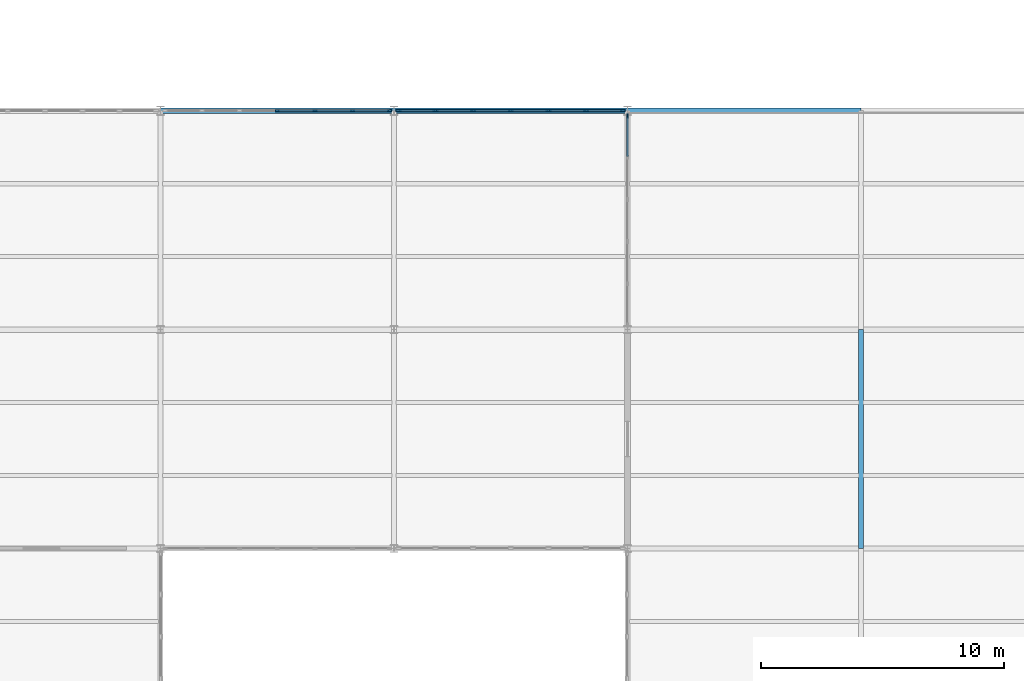
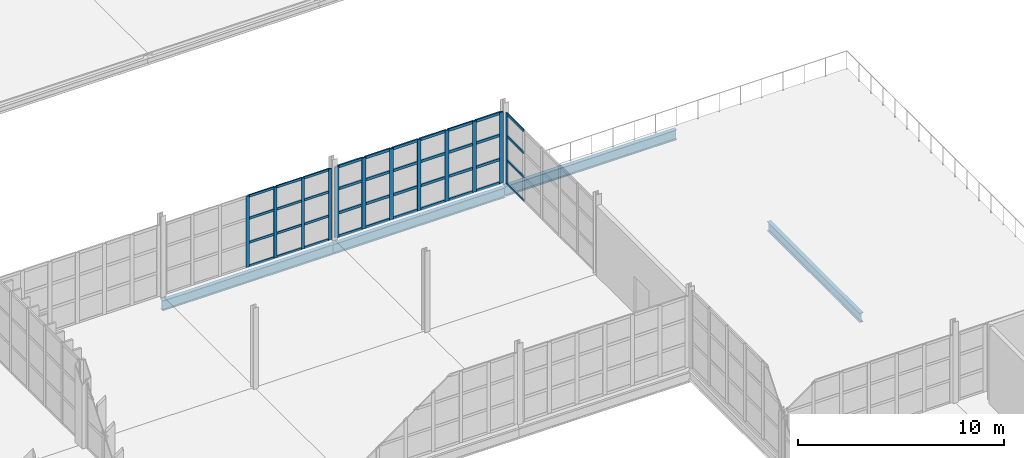
# One storey, part 70 of 120: 52 members, 4 beams, 3 elements without a shape of their own.
"""IFC4 building model written with IfcOpenShell, lengths in metres."""

from ifc_helpers import new_model, si_unit, direction, frame, origin, origin_2d, place, context, subcontext, project, spatial, rectangle, i_section, extrude, material, layer, layer_set, material_profile, profile_set, type_object, element, aggregate, save


model = new_model("IFC4")

# Units and contexts
model_context = context("Model", 3, precision=1e-05, world=origin(), true_north=direction((0.0, 1.0)))
body_context = subcontext(model_context, "Body", "Model", "MODEL_VIEW")
ifc_project = project(units=[si_unit("LENGTHUNIT", "METRE"), si_unit("AREAUNIT", "SQUARE_METRE"), si_unit("VOLUMEUNIT", "CUBIC_METRE"), si_unit("PLANEANGLEUNIT", "RADIAN"), si_unit("MASSUNIT", "GRAM", prefix="KILO")], contexts=[model_context])

# Site, building, storey
site_placement = place(None, origin())
site = spatial("IfcSite", under=ifc_project, at=site_placement, CompositionType="ELEMENT")
building_placement = place(site_placement, origin())
building = spatial("IfcBuilding", under=site, at=building_placement, Name="Zarnetskaya Central Station", CompositionType="ELEMENT")
storey_placement = place(building_placement, frame((0.0, 0.0, 5.39990234375)))
storey = spatial("IfcBuildingStorey", under=building, at=storey_placement, Name="L01", CompositionType="ELEMENT", Elevation=5.39990234375)

# Curtain wall, members
ifc_material_1 = material(Name="Low-E insulated glass", Category="glass")
ifc_layer = layer(ifc_material_1, 0.159912109375, Name="Low-E insulated glass", Category="glass")
ifc_layer_set = layer_set([ifc_layer], Name="Low-E insulated glass")
curtain_wall_type = type_object("IfcCurtainWallType", Name="CW-SYS-06", PredefinedType="USERDEFINED", material=ifc_layer_set)
curtain_wall_1_placement = place(storey_placement, origin())
curtain_wall_1 = element("IfcCurtainWall", 1, at=curtain_wall_1_placement, inside=storey, type_object=curtain_wall_type, Name="Curtain wall CW-L01-113", ObjectType="CURTAIN WALL", PredefinedType="USERDEFINED")
ifc_material_2 = material(Name="Anodised aluminium", Category="aluminium")
ifc_material_profile_1 = material_profile(ifc_material_2, rectangle(XDim=0.070068359375, YDim=0.179931640625, at=origin_2d()), Name="ALU MULL 70x180")
ifc_profile_set_1 = profile_set([ifc_material_profile_1], Name="Anodised aluminium")
member_type_1 = type_object("IfcMemberType", Name="CW-MULL-180", PredefinedType="MULLION", material=ifc_profile_set_1)
member_1_placement = place(storey_placement, frame((139.199951171875, 49.199951171875, 0.0), z_axis=(0.0, 0.0, 1.0), x_axis=(0.0, 1.0, 0.0)))
member_1 = element("IfcMember", 2, at=member_1_placement, type_object=member_type_1, Name="CW-02 mullion 4", PredefinedType="MULLION", context=body_context, shape_type="SweptSolid", body=[
    extrude(rectangle(XDim=0.070068359375, YDim=0.179931640625, at=origin_2d()), origin(), (0.0, 0.0, 1.0), 4.2001953125),
])
member_2_placement = place(storey_placement, frame((140.75, 49.199951171875, 0.0), z_axis=(0.0, 0.0, 1.0), x_axis=(0.0, 1.0, 0.0)))
member_2 = element("IfcMember", 3, at=member_2_placement, type_object=member_type_1, Name="CW-02 mullion 5", PredefinedType="MULLION", context=body_context, shape_type="SweptSolid", body=[
    extrude(rectangle(XDim=0.070068359375, YDim=0.179931640625, at=origin_2d()), origin(), (0.0, 0.0, 1.0), 4.2001953125),
])
member_3_placement = place(storey_placement, frame((142.300048828125, 49.199951171875, 0.0), z_axis=(0.0, 0.0, 1.0), x_axis=(0.0, 1.0, 0.0)))
member_3 = element("IfcMember", 4, at=member_3_placement, type_object=member_type_1, Name="CW-02 mullion 6", PredefinedType="MULLION", context=body_context, shape_type="SweptSolid", body=[
    extrude(rectangle(XDim=0.070068359375, YDim=0.179931640625, at=origin_2d()), origin(), (0.0, 0.0, 1.0), 4.2001953125),
])
member_4_placement = place(storey_placement, frame((143.81494140625, 49.199951171875, 0.0), z_axis=(0.0, 0.0, 1.0), x_axis=(0.0, 1.0, 0.0)))
member_4 = element("IfcMember", 5, at=member_4_placement, type_object=member_type_1, Name="CW-02 mullion 7", PredefinedType="MULLION", context=body_context, shape_type="SweptSolid", body=[
    extrude(rectangle(XDim=0.070068359375, YDim=0.179931640625, at=origin_2d()), origin(), (0.0, 0.0, 1.0), 4.2001953125),
])

# Curtain wall, member
curtain_wall_2_placement = place(storey_placement, origin())
curtain_wall_2 = element("IfcCurtainWall", 6, at=curtain_wall_2_placement, inside=storey, type_object=curtain_wall_type, Name="Curtain wall CW-L01-115", ObjectType="CURTAIN WALL", PredefinedType="USERDEFINED")
member_5_placement = place(storey_placement, frame((153.60009765625, 48.985107421875, 0.0), z_axis=(0.0, 0.0, 1.0), x_axis=(1.0, 0.0, 0.0)))
member_5 = element("IfcMember", 7, at=member_5_placement, type_object=member_type_1, Name="CW-02 mullion 1", PredefinedType="MULLION", context=body_context, shape_type="SweptSolid", body=[
    extrude(rectangle(XDim=0.070068359375, YDim=0.179931640625, at=origin_2d()), origin(), (0.0, 0.0, 1.0), 4.2001953125),
])

# Curtain wall, members
curtain_wall_3_placement = place(storey_placement, origin())
curtain_wall_3 = element("IfcCurtainWall", 8, at=curtain_wall_3_placement, inside=storey, type_object=curtain_wall_type, Name="Curtain wall CW-L01-114", ObjectType="CURTAIN WALL", PredefinedType="USERDEFINED")
ifc_material_profile_2 = material_profile(ifc_material_2, rectangle(XDim=0.080078125, YDim=0.219970703125, at=origin_2d()), Name="ALU MULL 80x220")
ifc_profile_set_2 = profile_set([ifc_material_profile_2], Name="Anodised aluminium")
member_type_2 = type_object("IfcMemberType", Name="CW-MULL-220", PredefinedType="MULLION", material=ifc_profile_set_2)
member_6_placement = place(storey_placement, frame((144.18994140625, 49.199951171875, 0.0), z_axis=(0.0, 0.0, 1.0), x_axis=(0.0, 1.0, 0.0)))
member_6 = element("IfcMember", 9, at=member_6_placement, type_object=member_type_2, Name="CW-02 mullion 1", PredefinedType="MULLION", context=body_context, shape_type="SweptSolid", body=[
    extrude(rectangle(XDim=0.080078125, YDim=0.219970703125, at=origin_2d()), origin(), (0.0, 0.0, 1.0), 4.2001953125),
])
member_7_placement = place(storey_placement, frame((145.699951171875, 49.199951171875, 0.0), z_axis=(0.0, 0.0, 1.0), x_axis=(0.0, 1.0, 0.0)))
member_7 = element("IfcMember", 10, at=member_7_placement, type_object=member_type_2, Name="CW-02 mullion 2", PredefinedType="MULLION", context=body_context, shape_type="SweptSolid", body=[
    extrude(rectangle(XDim=0.080078125, YDim=0.219970703125, at=origin_2d()), origin(), (0.0, 0.0, 1.0), 4.2001953125),
])
member_8_placement = place(storey_placement, frame((147.25, 49.199951171875, 0.0), z_axis=(0.0, 0.0, 1.0), x_axis=(0.0, 1.0, 0.0)))
member_8 = element("IfcMember", 11, at=member_8_placement, type_object=member_type_2, Name="CW-02 mullion 3", PredefinedType="MULLION", context=body_context, shape_type="SweptSolid", body=[
    extrude(rectangle(XDim=0.080078125, YDim=0.219970703125, at=origin_2d()), origin(), (0.0, 0.0, 1.0), 4.2001953125),
])
member_9_placement = place(storey_placement, frame((148.800048828125, 49.199951171875, 0.0), z_axis=(0.0, 0.0, 1.0), x_axis=(0.0, 1.0, 0.0)))
member_9 = element("IfcMember", 12, at=member_9_placement, type_object=member_type_2, Name="CW-02 mullion 4", PredefinedType="MULLION", context=body_context, shape_type="SweptSolid", body=[
    extrude(rectangle(XDim=0.080078125, YDim=0.219970703125, at=origin_2d()), origin(), (0.0, 0.0, 1.0), 4.2001953125),
])
member_10_placement = place(storey_placement, frame((150.35009765625, 49.199951171875, 0.0), z_axis=(0.0, 0.0, 1.0), x_axis=(0.0, 1.0, 0.0)))
member_10 = element("IfcMember", 13, at=member_10_placement, type_object=member_type_2, Name="CW-02 mullion 5", PredefinedType="MULLION", context=body_context, shape_type="SweptSolid", body=[
    extrude(rectangle(XDim=0.080078125, YDim=0.219970703125, at=origin_2d()), origin(), (0.0, 0.0, 1.0), 4.2001953125),
])
member_11_placement = place(storey_placement, frame((151.89990234375, 49.199951171875, 0.0), z_axis=(0.0, 0.0, 1.0), x_axis=(0.0, 1.0, 0.0)))
member_11 = element("IfcMember", 14, at=member_11_placement, type_object=member_type_2, Name="CW-02 mullion 6", PredefinedType="MULLION", context=body_context, shape_type="SweptSolid", body=[
    extrude(rectangle(XDim=0.080078125, YDim=0.219970703125, at=origin_2d()), origin(), (0.0, 0.0, 1.0), 4.2001953125),
])
member_12_placement = place(storey_placement, frame((153.409912109375, 49.199951171875, 0.0), z_axis=(0.0, 0.0, 1.0), x_axis=(0.0, 1.0, 0.0)))
member_12 = element("IfcMember", 15, at=member_12_placement, type_object=member_type_2, Name="CW-02 mullion 7", PredefinedType="MULLION", context=body_context, shape_type="SweptSolid", body=[
    extrude(rectangle(XDim=0.080078125, YDim=0.219970703125, at=origin_2d()), origin(), (0.0, 0.0, 1.0), 4.2001953125),
])

# Member
ifc_material_profile_3 = material_profile(ifc_material_2, rectangle(XDim=0.070068359375, YDim=0.139892578125, at=origin_2d()), Name="ALU TRAN 70x140")
ifc_profile_set_3 = profile_set([ifc_material_profile_3], Name="Anodised aluminium")
member_type_3 = type_object("IfcMemberType", Name="CW-TRAN-140", PredefinedType="USERDEFINED", material=ifc_profile_set_3)
member_13_placement = place(storey_placement, frame((139.235107421875, 49.199951171875, 0.03515625), z_axis=(1.0, 0.0, 0.0), x_axis=(0.0, 1.0, 0.0)))
member_13 = element("IfcMember", 16, at=member_13_placement, type_object=member_type_3, Name="CW-02 transom 4.1", ObjectType="TRANSOM", PredefinedType="USERDEFINED", context=body_context, shape_type="SweptSolid", body=[
    extrude(rectangle(XDim=0.070068359375, YDim=0.139892578125, at=origin_2d()), origin(), (0.0, 0.0, 1.0), 1.47998046875),
])

member_14_placement = place(storey_placement, frame((139.235107421875, 49.199951171875, 1.427978515625), z_axis=(1.0, 0.0, 0.0), x_axis=(0.0, 1.0, 0.0)))
member_14 = element("IfcMember", 17, at=member_14_placement, type_object=member_type_3, Name="CW-02 transom 4.2", ObjectType="TRANSOM", PredefinedType="USERDEFINED", context=body_context, shape_type="SweptSolid", body=[
    extrude(rectangle(XDim=0.070068359375, YDim=0.139892578125, at=origin_2d()), origin(), (0.0, 0.0, 1.0), 1.47998046875),
])

member_15_placement = place(storey_placement, frame((139.235107421875, 49.199951171875, 2.856201171875), z_axis=(1.0, 0.0, 0.0), x_axis=(0.0, 1.0, 0.0)))
member_15 = element("IfcMember", 18, at=member_15_placement, type_object=member_type_3, Name="CW-02 transom 4.3", ObjectType="TRANSOM", PredefinedType="USERDEFINED", context=body_context, shape_type="SweptSolid", body=[
    extrude(rectangle(XDim=0.070068359375, YDim=0.139892578125, at=origin_2d()), origin(), (0.0, 0.0, 1.0), 1.47998046875),
])

member_16_placement = place(storey_placement, frame((139.235107421875, 49.199951171875, 4.1650390625), z_axis=(1.0, 0.0, 0.0), x_axis=(0.0, 1.0, 0.0)))
member_16 = element("IfcMember", 19, at=member_16_placement, type_object=member_type_3, Name="CW-02 transom 4.4", ObjectType="TRANSOM", PredefinedType="USERDEFINED", context=body_context, shape_type="SweptSolid", body=[
    extrude(rectangle(XDim=0.070068359375, YDim=0.139892578125, at=origin_2d()), origin(), (0.0, 0.0, 1.0), 1.47998046875),
])

member_17_placement = place(storey_placement, frame((140.784912109375, 49.199951171875, 0.03515625), z_axis=(1.0, 0.0, 0.0), x_axis=(0.0, 1.0, 0.0)))
member_17 = element("IfcMember", 20, at=member_17_placement, type_object=member_type_3, Name="CW-02 transom 5.1", ObjectType="TRANSOM", PredefinedType="USERDEFINED", context=body_context, shape_type="SweptSolid", body=[
    extrude(rectangle(XDim=0.070068359375, YDim=0.139892578125, at=origin_2d()), origin(), (0.0, 0.0, 1.0), 1.47998046875),
])

member_18_placement = place(storey_placement, frame((140.784912109375, 49.199951171875, 1.427978515625), z_axis=(1.0, 0.0, 0.0), x_axis=(0.0, 1.0, 0.0)))
member_18 = element("IfcMember", 21, at=member_18_placement, type_object=member_type_3, Name="CW-02 transom 5.2", ObjectType="TRANSOM", PredefinedType="USERDEFINED", context=body_context, shape_type="SweptSolid", body=[
    extrude(rectangle(XDim=0.070068359375, YDim=0.139892578125, at=origin_2d()), origin(), (0.0, 0.0, 1.0), 1.47998046875),
])

member_19_placement = place(storey_placement, frame((140.784912109375, 49.199951171875, 2.856201171875), z_axis=(1.0, 0.0, 0.0), x_axis=(0.0, 1.0, 0.0)))
member_19 = element("IfcMember", 22, at=member_19_placement, type_object=member_type_3, Name="CW-02 transom 5.3", ObjectType="TRANSOM", PredefinedType="USERDEFINED", context=body_context, shape_type="SweptSolid", body=[
    extrude(rectangle(XDim=0.070068359375, YDim=0.139892578125, at=origin_2d()), origin(), (0.0, 0.0, 1.0), 1.47998046875),
])

member_20_placement = place(storey_placement, frame((140.784912109375, 49.199951171875, 4.1650390625), z_axis=(1.0, 0.0, 0.0), x_axis=(0.0, 1.0, 0.0)))
member_20 = element("IfcMember", 23, at=member_20_placement, type_object=member_type_3, Name="CW-02 transom 5.4", ObjectType="TRANSOM", PredefinedType="USERDEFINED", context=body_context, shape_type="SweptSolid", body=[
    extrude(rectangle(XDim=0.070068359375, YDim=0.139892578125, at=origin_2d()), origin(), (0.0, 0.0, 1.0), 1.47998046875),
])

member_21_placement = place(storey_placement, frame((142.3349609375, 49.199951171875, 0.03515625), z_axis=(1.0, 0.0, 0.0), x_axis=(0.0, 1.0, 0.0)))
member_21 = element("IfcMember", 24, at=member_21_placement, type_object=member_type_3, Name="CW-02 transom 6.1", ObjectType="TRANSOM", PredefinedType="USERDEFINED", context=body_context, shape_type="SweptSolid", body=[
    extrude(rectangle(XDim=0.070068359375, YDim=0.139892578125, at=origin_2d()), origin(), (0.0, 0.0, 1.0), 1.445068359375),
])

member_22_placement = place(storey_placement, frame((142.3349609375, 49.199951171875, 1.427978515625), z_axis=(1.0, 0.0, 0.0), x_axis=(0.0, 1.0, 0.0)))
member_22 = element("IfcMember", 25, at=member_22_placement, type_object=member_type_3, Name="CW-02 transom 6.2", ObjectType="TRANSOM", PredefinedType="USERDEFINED", context=body_context, shape_type="SweptSolid", body=[
    extrude(rectangle(XDim=0.070068359375, YDim=0.139892578125, at=origin_2d()), origin(), (0.0, 0.0, 1.0), 1.445068359375),
])

member_23_placement = place(storey_placement, frame((142.3349609375, 49.199951171875, 2.856201171875), z_axis=(1.0, 0.0, 0.0), x_axis=(0.0, 1.0, 0.0)))
member_23 = element("IfcMember", 26, at=member_23_placement, type_object=member_type_3, Name="CW-02 transom 6.3", ObjectType="TRANSOM", PredefinedType="USERDEFINED", context=body_context, shape_type="SweptSolid", body=[
    extrude(rectangle(XDim=0.070068359375, YDim=0.139892578125, at=origin_2d()), origin(), (0.0, 0.0, 1.0), 1.445068359375),
])

member_24_placement = place(storey_placement, frame((142.3349609375, 49.199951171875, 4.1650390625), z_axis=(1.0, 0.0, 0.0), x_axis=(0.0, 1.0, 0.0)))
member_24 = element("IfcMember", 27, at=member_24_placement, type_object=member_type_3, Name="CW-02 transom 6.4", ObjectType="TRANSOM", PredefinedType="USERDEFINED", context=body_context, shape_type="SweptSolid", body=[
    extrude(rectangle(XDim=0.070068359375, YDim=0.139892578125, at=origin_2d()), origin(), (0.0, 0.0, 1.0), 1.445068359375),
])

aggregate(curtain_wall_1, [member_1, member_2, member_3, member_4, member_13, member_14, member_15, member_16, member_17, member_18, member_19, member_20, member_21, member_22, member_23, member_24])

member_25_placement = place(storey_placement, frame((153.60009765625, 48.949951171875, 0.03515625), z_axis=(0.0, -1.0, 0.0), x_axis=(1.0, 0.0, 0.0)))
member_25 = element("IfcMember", 28, at=member_25_placement, type_object=member_type_3, Name="CW-02 transom 1.1", ObjectType="TRANSOM", PredefinedType="USERDEFINED", context=body_context, shape_type="SweptSolid", body=[
    extrude(rectangle(XDim=0.070068359375, YDim=0.139892578125, at=origin_2d()), origin(), (0.0, 0.0, 1.0), 1.62890625),
])

member_26_placement = place(storey_placement, frame((153.60009765625, 48.949951171875, 1.427978515625), z_axis=(0.0, -1.0, 0.0), x_axis=(1.0, 0.0, 0.0)))
member_26 = element("IfcMember", 29, at=member_26_placement, type_object=member_type_3, Name="CW-02 transom 1.2", ObjectType="TRANSOM", PredefinedType="USERDEFINED", context=body_context, shape_type="SweptSolid", body=[
    extrude(rectangle(XDim=0.070068359375, YDim=0.139892578125, at=origin_2d()), origin(), (0.0, 0.0, 1.0), 1.62890625),
])

member_27_placement = place(storey_placement, frame((153.60009765625, 48.949951171875, 2.856201171875), z_axis=(0.0, -1.0, 0.0), x_axis=(1.0, 0.0, 0.0)))
member_27 = element("IfcMember", 30, at=member_27_placement, type_object=member_type_3, Name="CW-02 transom 1.3", ObjectType="TRANSOM", PredefinedType="USERDEFINED", context=body_context, shape_type="SweptSolid", body=[
    extrude(rectangle(XDim=0.070068359375, YDim=0.139892578125, at=origin_2d()), origin(), (0.0, 0.0, 1.0), 1.62890625),
])

member_28_placement = place(storey_placement, frame((153.60009765625, 48.949951171875, 4.1650390625), z_axis=(0.0, -1.0, 0.0), x_axis=(1.0, 0.0, 0.0)))
member_28 = element("IfcMember", 31, at=member_28_placement, type_object=member_type_3, Name="CW-02 transom 1.4", ObjectType="TRANSOM", PredefinedType="USERDEFINED", context=body_context, shape_type="SweptSolid", body=[
    extrude(rectangle(XDim=0.070068359375, YDim=0.139892578125, at=origin_2d()), origin(), (0.0, 0.0, 1.0), 1.62890625),
])

aggregate(curtain_wall_2, [member_5, member_25, member_26, member_27, member_28])

ifc_material_profile_4 = material_profile(ifc_material_2, rectangle(XDim=0.080078125, YDim=0.159912109375, at=origin_2d()), Name="ALU TRAN 80x160")
ifc_profile_set_4 = profile_set([ifc_material_profile_4], Name="Anodised aluminium")
member_type_4 = type_object("IfcMemberType", Name="CW-TRAN-160", PredefinedType="USERDEFINED", material=ifc_profile_set_4)
member_29_placement = place(storey_placement, frame((144.22998046875, 49.199951171875, 0.0400390625), z_axis=(1.0, 0.0, 0.0), x_axis=(0.0, 1.0, 0.0)))
member_29 = element("IfcMember", 32, at=member_29_placement, type_object=member_type_4, Name="CW-02 transom 1.1", ObjectType="TRANSOM", PredefinedType="USERDEFINED", context=body_context, shape_type="SweptSolid", body=[
    extrude(rectangle(XDim=0.080078125, YDim=0.159912109375, at=origin_2d()), origin(), (0.0, 0.0, 1.0), 1.429931640625),
])

member_30_placement = place(storey_placement, frame((144.22998046875, 49.199951171875, 1.427978515625), z_axis=(1.0, 0.0, 0.0), x_axis=(0.0, 1.0, 0.0)))
member_30 = element("IfcMember", 33, at=member_30_placement, type_object=member_type_4, Name="CW-02 transom 1.2", ObjectType="TRANSOM", PredefinedType="USERDEFINED", context=body_context, shape_type="SweptSolid", body=[
    extrude(rectangle(XDim=0.080078125, YDim=0.159912109375, at=origin_2d()), origin(), (0.0, 0.0, 1.0), 1.429931640625),
])

member_31_placement = place(storey_placement, frame((144.22998046875, 49.199951171875, 2.856201171875), z_axis=(1.0, 0.0, 0.0), x_axis=(0.0, 1.0, 0.0)))
member_31 = element("IfcMember", 34, at=member_31_placement, type_object=member_type_4, Name="CW-02 transom 1.3", ObjectType="TRANSOM", PredefinedType="USERDEFINED", context=body_context, shape_type="SweptSolid", body=[
    extrude(rectangle(XDim=0.080078125, YDim=0.159912109375, at=origin_2d()), origin(), (0.0, 0.0, 1.0), 1.429931640625),
])

member_32_placement = place(storey_placement, frame((144.22998046875, 49.199951171875, 4.16015625), z_axis=(1.0, 0.0, 0.0), x_axis=(0.0, 1.0, 0.0)))
member_32 = element("IfcMember", 35, at=member_32_placement, type_object=member_type_4, Name="CW-02 transom 1.4", ObjectType="TRANSOM", PredefinedType="USERDEFINED", context=body_context, shape_type="SweptSolid", body=[
    extrude(rectangle(XDim=0.080078125, YDim=0.159912109375, at=origin_2d()), origin(), (0.0, 0.0, 1.0), 1.429931640625),
])

member_33_placement = place(storey_placement, frame((145.739990234375, 49.199951171875, 0.0400390625), z_axis=(1.0, 0.0, 0.0), x_axis=(0.0, 1.0, 0.0)))
member_33 = element("IfcMember", 36, at=member_33_placement, type_object=member_type_4, Name="CW-02 transom 2.1", ObjectType="TRANSOM", PredefinedType="USERDEFINED", context=body_context, shape_type="SweptSolid", body=[
    extrude(rectangle(XDim=0.080078125, YDim=0.159912109375, at=origin_2d()), origin(), (0.0, 0.0, 1.0), 1.469970703125),
])

member_34_placement = place(storey_placement, frame((145.739990234375, 49.199951171875, 1.427978515625), z_axis=(1.0, 0.0, 0.0), x_axis=(0.0, 1.0, 0.0)))
member_34 = element("IfcMember", 37, at=member_34_placement, type_object=member_type_4, Name="CW-02 transom 2.2", ObjectType="TRANSOM", PredefinedType="USERDEFINED", context=body_context, shape_type="SweptSolid", body=[
    extrude(rectangle(XDim=0.080078125, YDim=0.159912109375, at=origin_2d()), origin(), (0.0, 0.0, 1.0), 1.469970703125),
])

member_35_placement = place(storey_placement, frame((145.739990234375, 49.199951171875, 2.856201171875), z_axis=(1.0, 0.0, 0.0), x_axis=(0.0, 1.0, 0.0)))
member_35 = element("IfcMember", 38, at=member_35_placement, type_object=member_type_4, Name="CW-02 transom 2.3", ObjectType="TRANSOM", PredefinedType="USERDEFINED", context=body_context, shape_type="SweptSolid", body=[
    extrude(rectangle(XDim=0.080078125, YDim=0.159912109375, at=origin_2d()), origin(), (0.0, 0.0, 1.0), 1.469970703125),
])

member_36_placement = place(storey_placement, frame((145.739990234375, 49.199951171875, 4.16015625), z_axis=(1.0, 0.0, 0.0), x_axis=(0.0, 1.0, 0.0)))
member_36 = element("IfcMember", 39, at=member_36_placement, type_object=member_type_4, Name="CW-02 transom 2.4", ObjectType="TRANSOM", PredefinedType="USERDEFINED", context=body_context, shape_type="SweptSolid", body=[
    extrude(rectangle(XDim=0.080078125, YDim=0.159912109375, at=origin_2d()), origin(), (0.0, 0.0, 1.0), 1.469970703125),
])

member_37_placement = place(storey_placement, frame((147.2900390625, 49.199951171875, 0.0400390625), z_axis=(1.0, 0.0, 0.0), x_axis=(0.0, 1.0, 0.0)))
member_37 = element("IfcMember", 40, at=member_37_placement, type_object=member_type_4, Name="CW-02 transom 3.1", ObjectType="TRANSOM", PredefinedType="USERDEFINED", context=body_context, shape_type="SweptSolid", body=[
    extrude(rectangle(XDim=0.080078125, YDim=0.159912109375, at=origin_2d()), origin(), (0.0, 0.0, 1.0), 1.469970703125),
])

member_38_placement = place(storey_placement, frame((147.2900390625, 49.199951171875, 1.427978515625), z_axis=(1.0, 0.0, 0.0), x_axis=(0.0, 1.0, 0.0)))
member_38 = element("IfcMember", 41, at=member_38_placement, type_object=member_type_4, Name="CW-02 transom 3.2", ObjectType="TRANSOM", PredefinedType="USERDEFINED", context=body_context, shape_type="SweptSolid", body=[
    extrude(rectangle(XDim=0.080078125, YDim=0.159912109375, at=origin_2d()), origin(), (0.0, 0.0, 1.0), 1.469970703125),
])

member_39_placement = place(storey_placement, frame((147.2900390625, 49.199951171875, 2.856201171875), z_axis=(1.0, 0.0, 0.0), x_axis=(0.0, 1.0, 0.0)))
member_39 = element("IfcMember", 42, at=member_39_placement, type_object=member_type_4, Name="CW-02 transom 3.3", ObjectType="TRANSOM", PredefinedType="USERDEFINED", context=body_context, shape_type="SweptSolid", body=[
    extrude(rectangle(XDim=0.080078125, YDim=0.159912109375, at=origin_2d()), origin(), (0.0, 0.0, 1.0), 1.469970703125),
])

member_40_placement = place(storey_placement, frame((147.2900390625, 49.199951171875, 4.16015625), z_axis=(1.0, 0.0, 0.0), x_axis=(0.0, 1.0, 0.0)))
member_40 = element("IfcMember", 43, at=member_40_placement, type_object=member_type_4, Name="CW-02 transom 3.4", ObjectType="TRANSOM", PredefinedType="USERDEFINED", context=body_context, shape_type="SweptSolid", body=[
    extrude(rectangle(XDim=0.080078125, YDim=0.159912109375, at=origin_2d()), origin(), (0.0, 0.0, 1.0), 1.469970703125),
])

member_41_placement = place(storey_placement, frame((148.840087890625, 49.199951171875, 0.0400390625), z_axis=(1.0, 0.0, 0.0), x_axis=(0.0, 1.0, 0.0)))
member_41 = element("IfcMember", 44, at=member_41_placement, type_object=member_type_4, Name="CW-02 transom 4.1", ObjectType="TRANSOM", PredefinedType="USERDEFINED", context=body_context, shape_type="SweptSolid", body=[
    extrude(rectangle(XDim=0.080078125, YDim=0.159912109375, at=origin_2d()), origin(), (0.0, 0.0, 1.0), 1.469970703125),
])

member_42_placement = place(storey_placement, frame((148.840087890625, 49.199951171875, 1.427978515625), z_axis=(1.0, 0.0, 0.0), x_axis=(0.0, 1.0, 0.0)))
member_42 = element("IfcMember", 45, at=member_42_placement, type_object=member_type_4, Name="CW-02 transom 4.2", ObjectType="TRANSOM", PredefinedType="USERDEFINED", context=body_context, shape_type="SweptSolid", body=[
    extrude(rectangle(XDim=0.080078125, YDim=0.159912109375, at=origin_2d()), origin(), (0.0, 0.0, 1.0), 1.469970703125),
])

member_43_placement = place(storey_placement, frame((148.840087890625, 49.199951171875, 2.856201171875), z_axis=(1.0, 0.0, 0.0), x_axis=(0.0, 1.0, 0.0)))
member_43 = element("IfcMember", 46, at=member_43_placement, type_object=member_type_4, Name="CW-02 transom 4.3", ObjectType="TRANSOM", PredefinedType="USERDEFINED", context=body_context, shape_type="SweptSolid", body=[
    extrude(rectangle(XDim=0.080078125, YDim=0.159912109375, at=origin_2d()), origin(), (0.0, 0.0, 1.0), 1.469970703125),
])

member_44_placement = place(storey_placement, frame((148.840087890625, 49.199951171875, 4.16015625), z_axis=(1.0, 0.0, 0.0), x_axis=(0.0, 1.0, 0.0)))
member_44 = element("IfcMember", 47, at=member_44_placement, type_object=member_type_4, Name="CW-02 transom 4.4", ObjectType="TRANSOM", PredefinedType="USERDEFINED", context=body_context, shape_type="SweptSolid", body=[
    extrude(rectangle(XDim=0.080078125, YDim=0.159912109375, at=origin_2d()), origin(), (0.0, 0.0, 1.0), 1.469970703125),
])

member_45_placement = place(storey_placement, frame((150.389892578125, 49.199951171875, 0.0400390625), z_axis=(1.0, 0.0, 0.0), x_axis=(0.0, 1.0, 0.0)))
member_45 = element("IfcMember", 48, at=member_45_placement, type_object=member_type_4, Name="CW-02 transom 5.1", ObjectType="TRANSOM", PredefinedType="USERDEFINED", context=body_context, shape_type="SweptSolid", body=[
    extrude(rectangle(XDim=0.080078125, YDim=0.159912109375, at=origin_2d()), origin(), (0.0, 0.0, 1.0), 1.47021484375),
])

member_46_placement = place(storey_placement, frame((150.389892578125, 49.199951171875, 1.427978515625), z_axis=(1.0, 0.0, 0.0), x_axis=(0.0, 1.0, 0.0)))
member_46 = element("IfcMember", 49, at=member_46_placement, type_object=member_type_4, Name="CW-02 transom 5.2", ObjectType="TRANSOM", PredefinedType="USERDEFINED", context=body_context, shape_type="SweptSolid", body=[
    extrude(rectangle(XDim=0.080078125, YDim=0.159912109375, at=origin_2d()), origin(), (0.0, 0.0, 1.0), 1.47021484375),
])

member_47_placement = place(storey_placement, frame((150.389892578125, 49.199951171875, 2.856201171875), z_axis=(1.0, 0.0, 0.0), x_axis=(0.0, 1.0, 0.0)))
member_47 = element("IfcMember", 50, at=member_47_placement, type_object=member_type_4, Name="CW-02 transom 5.3", ObjectType="TRANSOM", PredefinedType="USERDEFINED", context=body_context, shape_type="SweptSolid", body=[
    extrude(rectangle(XDim=0.080078125, YDim=0.159912109375, at=origin_2d()), origin(), (0.0, 0.0, 1.0), 1.47021484375),
])

member_48_placement = place(storey_placement, frame((150.389892578125, 49.199951171875, 4.16015625), z_axis=(1.0, 0.0, 0.0), x_axis=(0.0, 1.0, 0.0)))
member_48 = element("IfcMember", 51, at=member_48_placement, type_object=member_type_4, Name="CW-02 transom 5.4", ObjectType="TRANSOM", PredefinedType="USERDEFINED", context=body_context, shape_type="SweptSolid", body=[
    extrude(rectangle(XDim=0.080078125, YDim=0.159912109375, at=origin_2d()), origin(), (0.0, 0.0, 1.0), 1.47021484375),
])

member_49_placement = place(storey_placement, frame((151.93994140625, 49.199951171875, 0.0400390625), z_axis=(1.0, 0.0, 0.0), x_axis=(0.0, 1.0, 0.0)))
member_49 = element("IfcMember", 52, at=member_49_placement, type_object=member_type_4, Name="CW-02 transom 6.1", ObjectType="TRANSOM", PredefinedType="USERDEFINED", context=body_context, shape_type="SweptSolid", body=[
    extrude(rectangle(XDim=0.080078125, YDim=0.159912109375, at=origin_2d()), origin(), (0.0, 0.0, 1.0), 1.43017578125),
])

member_50_placement = place(storey_placement, frame((151.93994140625, 49.199951171875, 1.427978515625), z_axis=(1.0, 0.0, 0.0), x_axis=(0.0, 1.0, 0.0)))
member_50 = element("IfcMember", 53, at=member_50_placement, type_object=member_type_4, Name="CW-02 transom 6.2", ObjectType="TRANSOM", PredefinedType="USERDEFINED", context=body_context, shape_type="SweptSolid", body=[
    extrude(rectangle(XDim=0.080078125, YDim=0.159912109375, at=origin_2d()), origin(), (0.0, 0.0, 1.0), 1.43017578125),
])

member_51_placement = place(storey_placement, frame((151.93994140625, 49.199951171875, 2.856201171875), z_axis=(1.0, 0.0, 0.0), x_axis=(0.0, 1.0, 0.0)))
member_51 = element("IfcMember", 54, at=member_51_placement, type_object=member_type_4, Name="CW-02 transom 6.3", ObjectType="TRANSOM", PredefinedType="USERDEFINED", context=body_context, shape_type="SweptSolid", body=[
    extrude(rectangle(XDim=0.080078125, YDim=0.159912109375, at=origin_2d()), origin(), (0.0, 0.0, 1.0), 1.43017578125),
])

member_52_placement = place(storey_placement, frame((151.93994140625, 49.199951171875, 4.16015625), z_axis=(1.0, 0.0, 0.0), x_axis=(0.0, 1.0, 0.0)))
member_52 = element("IfcMember", 55, at=member_52_placement, type_object=member_type_4, Name="CW-02 transom 6.4", ObjectType="TRANSOM", PredefinedType="USERDEFINED", context=body_context, shape_type="SweptSolid", body=[
    extrude(rectangle(XDim=0.080078125, YDim=0.159912109375, at=origin_2d()), origin(), (0.0, 0.0, 1.0), 1.43017578125),
])

aggregate(curtain_wall_3, [member_6, member_7, member_8, member_9, member_10, member_11, member_12, member_29, member_30, member_31, member_32, member_33, member_34, member_35, member_36, member_37, member_38, member_39, member_40, member_41, member_42, member_43, member_44, member_45, member_46, member_47, member_48, member_49, member_50, member_51, member_52])

# Beams
ifc_material_3 = material(Name="Steel S355", Category="steel")
ifc_material_profile_5 = material_profile(ifc_material_3, i_section(OverallWidth=0.2099609375, OverallDepth=0.550048828125, WebThickness=0.010986328125, FlangeThickness=0.01708984375, FilletRadius=0.02392578125, at=origin_2d()), Name="IPE 550")
ifc_profile_set_5 = profile_set([ifc_material_profile_5], Name="Steel S355")
beam_type_1 = type_object("IfcBeamType", Name="GD-FLR-550", PredefinedType="USERDEFINED", material=ifc_profile_set_5)
beam_1_placement = place(storey_placement, frame((163.199951171875, 31.199951171875, -0.494873046875), z_axis=(0.0, 1.0, 0.0), x_axis=(-1.0, 0.0, 0.0)))
element("IfcBeam", 56, at=beam_1_placement, inside=storey, type_object=beam_type_1, Name="Grid girder GY-L01-T-56", ObjectType="GIRDER", PredefinedType="USERDEFINED", context=body_context, shape_type="SweptSolid", body=[
    extrude(i_section(OverallWidth=0.2099609375, OverallDepth=0.550048828125, WebThickness=0.010986328125, FlangeThickness=0.01708984375, FilletRadius=0.02392578125, at=origin_2d()), origin(), (0.0, 0.0, 1.0), 9.0),
])
ifc_material_profile_6 = material_profile(ifc_material_3, i_section(OverallWidth=0.219970703125, OverallDepth=0.60009765625, WebThickness=0.011962890625, FlangeThickness=0.01904296875, FilletRadius=0.02392578125, at=origin_2d()), Name="IPE 600")
ifc_profile_set_6 = profile_set([ifc_material_profile_6], Name="Steel S355")
beam_type_2 = type_object("IfcBeamType", Name="GD-FLR-600", PredefinedType="USERDEFINED", material=ifc_profile_set_6)
for number, where, z_axis, x_axis, name in (
    (57, (134.39990234375, 49.199951171875, -0.579833984375), (1.0, 0.0, 0.0), (0.0, 1.0, 0.0), "Grid girder GX-L01-7-QR"),
    (58, (144.0, 49.199951171875, -0.579833984375), (1.0, 0.0, 0.0), (0.0, 1.0, 0.0), "Grid girder GX-L01-7-RS"),
):
    element("IfcBeam", number, at=place(storey_placement, frame(where, z_axis=z_axis, x_axis=x_axis)), inside=storey, type_object=beam_type_2, Name=name, ObjectType="GIRDER", PredefinedType="USERDEFINED", context=body_context, shape_type="SweptSolid", body=[
        extrude(i_section(OverallWidth=0.219970703125, OverallDepth=0.60009765625, WebThickness=0.011962890625, FlangeThickness=0.01904296875, FilletRadius=0.02392578125, at=origin_2d()), origin(), (0.0, 0.0, 1.0), 9.60009765625),
    ])
beam_2_placement = place(storey_placement, frame((153.60009765625, 49.199951171875, -0.52001953125), z_axis=(1.0, 0.0, 0.0), x_axis=(0.0, 1.0, 0.0)))
element("IfcBeam", 59, at=beam_2_placement, inside=storey, type_object=beam_type_2, Name="Grid girder GX-L01-7-ST", ObjectType="GIRDER", PredefinedType="USERDEFINED", context=body_context, shape_type="SweptSolid", body=[
    extrude(i_section(OverallWidth=0.219970703125, OverallDepth=0.60009765625, WebThickness=0.011962890625, FlangeThickness=0.01904296875, FilletRadius=0.02392578125, at=origin_2d()), origin(), (0.0, 0.0, 1.0), 9.599853515625),
])

save(model, "model.ifc")
